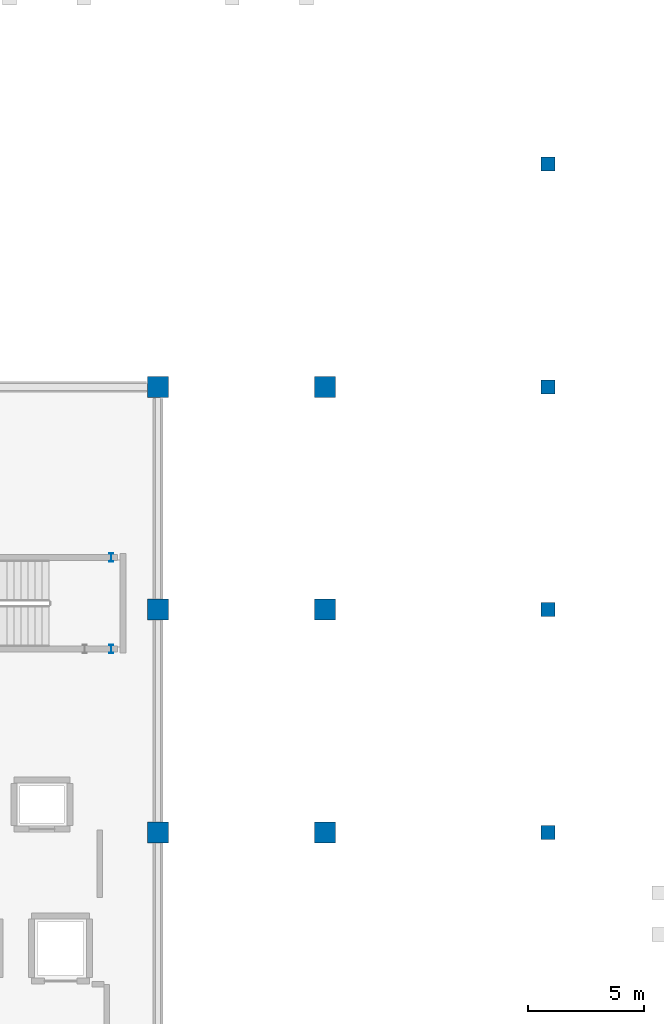
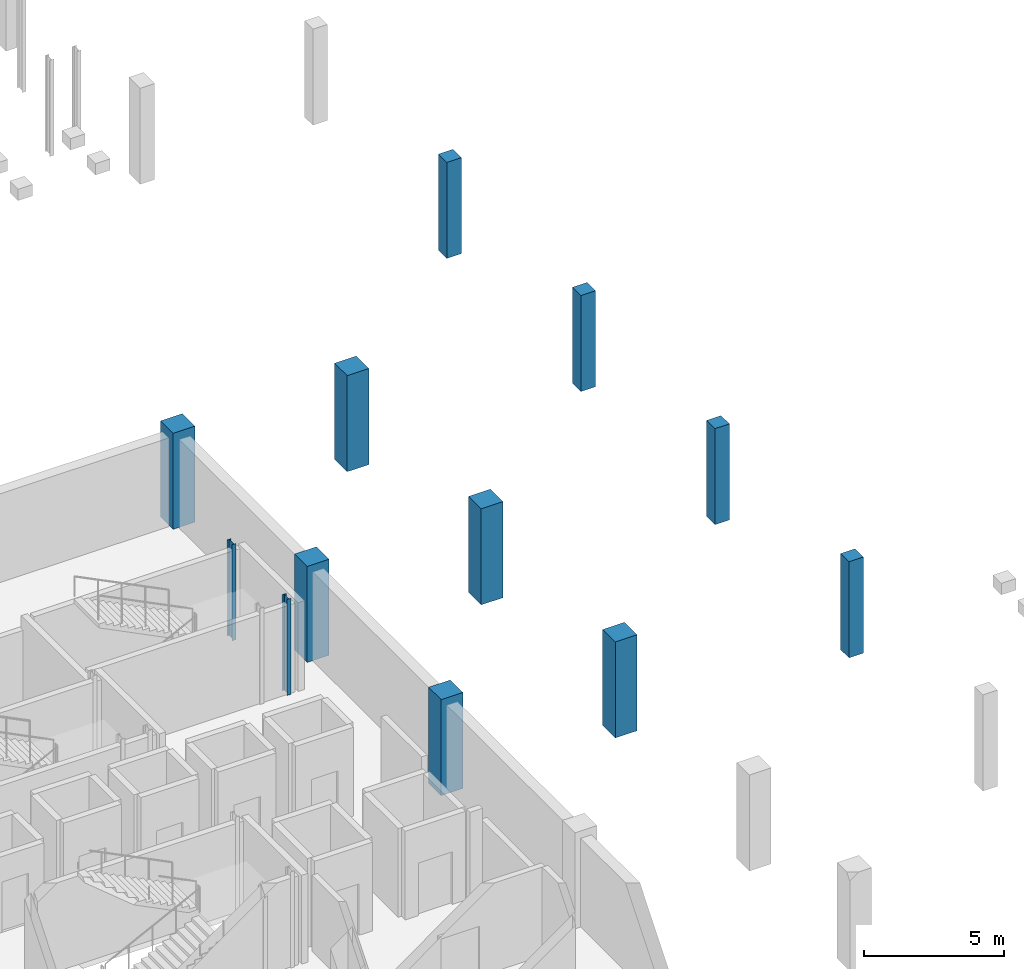
# One storey, part 20 of 47: 12 columns.
"""IFC4 building model written with IfcOpenShell, lengths in metres."""

from ifc_helpers import new_model, si_unit, direction, frame, origin, origin_2d, place, context, subcontext, project, spatial, rectangle, i_section, extrude, material, material_profile, profile_set, type_object, element, save


model = new_model("IFC4")

# Units and contexts
model_context = context("Model", 3, precision=1e-05, world=origin(), true_north=direction((0.0, 1.0)))
body_context = subcontext(model_context, "Body", "Model", "MODEL_VIEW")
ifc_project = project(units=[si_unit("LENGTHUNIT", "METRE"), si_unit("AREAUNIT", "SQUARE_METRE"), si_unit("VOLUMEUNIT", "CUBIC_METRE"), si_unit("PLANEANGLEUNIT", "RADIAN"), si_unit("MASSUNIT", "GRAM", prefix="KILO")], contexts=[model_context])

# Site, building, storey
site_placement = place(None, origin())
site = spatial("IfcSite", under=ifc_project, at=site_placement, CompositionType="ELEMENT")
building_placement = place(site_placement, origin())
building = spatial("IfcBuilding", under=site, at=building_placement, Name="Zevrakil Square Congress Hotel", CompositionType="ELEMENT")
storey_placement = place(building_placement, frame((0.0, 0.0, -4.199951171875)))
storey = spatial("IfcBuildingStorey", under=building, at=storey_placement, Name="B1", CompositionType="ELEMENT", Elevation=-4.199951171875)

# Columns
ifc_material_1 = material(Name="Steel S355", Category="steel")
ifc_material_profile_1 = material_profile(ifc_material_1, i_section(OverallWidth=0.169921875, OverallDepth=0.360107421875, WebThickness=0.008056640625, FlangeThickness=0.0126953125, FilletRadius=0.01806640625, at=origin_2d()), Name="IPE 360")
ifc_profile_set_1 = profile_set([ifc_material_profile_1], Name="Steel S355")
column_type_1 = type_object("IfcColumnType", Name="COL-PILASTER-SHS180", PredefinedType="PILASTER", material=ifc_profile_set_1)
for number, where, z_axis, x_axis, name in (
    (1, (153.97998046875, 34.300048828125, 0.0), (0.0, 0.0, 1.0), (1.0, 0.0, 0.0), "B1 ST03 stair shaft post 2"),
    (2, (153.97998046875, 38.25, 0.0), (0.0, 0.0, 1.0), (1.0, 0.0, 0.0), "B1 ST03 stair shaft post 3"),
):
    element("IfcColumn", number, at=place(storey_placement, frame(where, z_axis=z_axis, x_axis=x_axis)), inside=storey, type_object=column_type_1, Name=name, PredefinedType="PILASTER", context=body_context, shape_type="SweptSolid", body=[
        extrude(i_section(OverallWidth=0.169921875, OverallDepth=0.360107421875, WebThickness=0.008056640625, FlangeThickness=0.0126953125, FilletRadius=0.01806640625, at=origin_2d()), origin(), (0.0, 0.0, 1.0), 4.199951171875),
    ])
ifc_material_2 = material(Name="Concrete C40/50", Category="concrete")
ifc_material_profile_2 = material_profile(ifc_material_2, rectangle(XDim=0.60009765625, YDim=0.60009765625, at=origin_2d()), Name="RC 600x600")
ifc_profile_set_2 = profile_set([ifc_material_profile_2], Name="Concrete C40/50")
column_type_2 = type_object("IfcColumnType", Name="COL-RC600", PredefinedType="COLUMN", material=ifc_profile_set_2)
for number, where, z_axis, x_axis, name in (
    (3, (172.800048828125, 26.39990234375, 0.0), (0.0, 0.0, 1.0), (1.0, 0.0, 0.0), "B1 column C-245"),
    (4, (172.800048828125, 36.0, 0.0), (0.0, 0.0, 1.0), (1.0, 0.0, 0.0), "B1 column C-246"),
    (5, (172.800048828125, 45.60009765625, 0.0), (0.0, 0.0, 1.0), (1.0, 0.0, 0.0), "B1 column C-247"),
    (6, (172.800048828125, 55.199951171875, 0.0), (0.0, 0.0, 1.0), (1.0, 0.0, 0.0), "B1 column C-248"),
):
    element("IfcColumn", number, at=place(storey_placement, frame(where, z_axis=z_axis, x_axis=x_axis)), inside=storey, type_object=column_type_2, Name=name, PredefinedType="COLUMN", context=body_context, shape_type="SweptSolid", body=[
        extrude(rectangle(XDim=0.60009765625, YDim=0.60009765625, at=origin_2d()), origin(), (0.0, 0.0, 1.0), 4.199951171875),
    ])
ifc_material_3 = material(Name="Concrete C40/50", Category="concrete")
ifc_material_profile_3 = material_profile(ifc_material_3, rectangle(XDim=0.89990234375, YDim=0.89990234375, at=origin_2d()), Name="RC 900x900")
ifc_profile_set_3 = profile_set([ifc_material_profile_3], Name="Concrete C40/50")
column_type_3 = type_object("IfcColumnType", Name="COL-RC900", PredefinedType="COLUMN", material=ifc_profile_set_3)
for number, where, z_axis, x_axis, name in (
    (7, (156.0, 26.39990234375, 0.0), (0.0, 0.0, 1.0), (1.0, 0.0, 0.0), "B1 column C-223"),
    (8, (156.0, 36.0, 0.0), (0.0, 0.0, 1.0), (1.0, 0.0, 0.0), "B1 column C-224"),
    (9, (156.0, 45.60009765625, 0.0), (0.0, 0.0, 1.0), (1.0, 0.0, 0.0), "B1 column C-225"),
    (10, (163.199951171875, 26.39990234375, 0.0), (0.0, 0.0, 1.0), (1.0, 0.0, 0.0), "B1 column C-231"),
    (11, (163.199951171875, 36.0, 0.0), (0.0, 0.0, 1.0), (1.0, 0.0, 0.0), "B1 column C-232"),
    (12, (163.199951171875, 45.60009765625, 0.0), (0.0, 0.0, 1.0), (1.0, 0.0, 0.0), "B1 column C-233"),
):
    element("IfcColumn", number, at=place(storey_placement, frame(where, z_axis=z_axis, x_axis=x_axis)), inside=storey, type_object=column_type_3, Name=name, PredefinedType="COLUMN", context=body_context, shape_type="SweptSolid", body=[
        extrude(rectangle(XDim=0.89990234375, YDim=0.89990234375, at=origin_2d()), origin(), (0.0, 0.0, 1.0), 4.199951171875),
    ])

save(model, "model.ifc")
